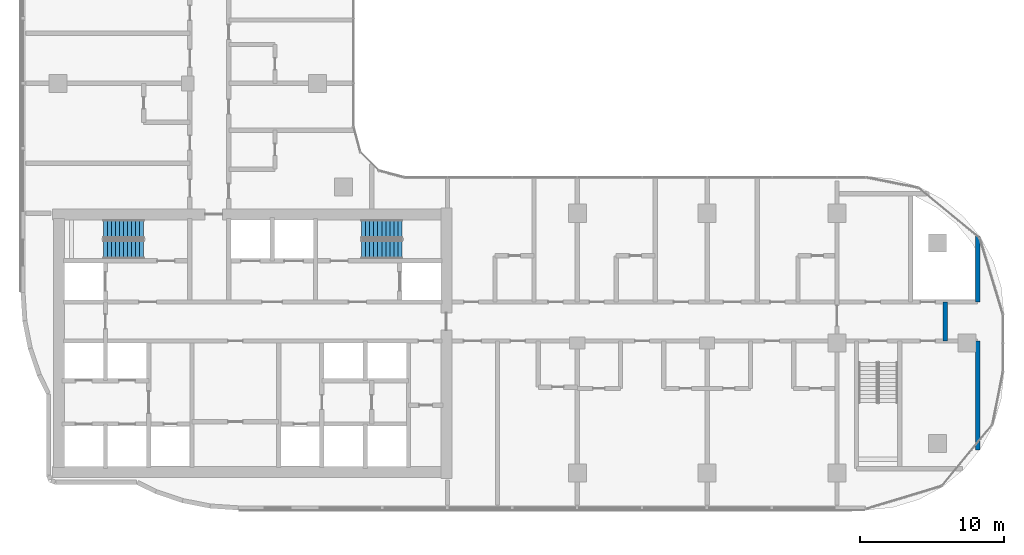
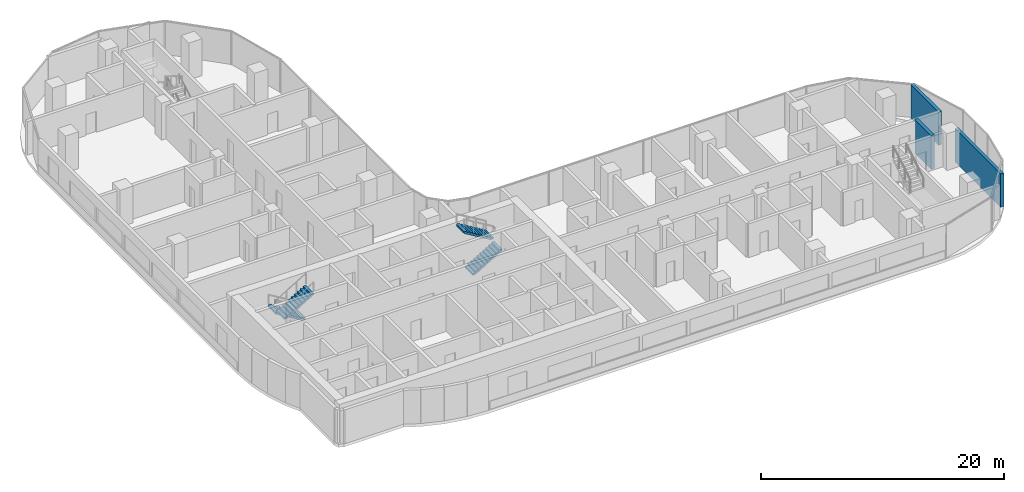
# One storey, part 15 of 23: 4 stair flights, 3 walls, 2 elements without a shape of their own.
"""IFC4 building model written with IfcOpenShell, lengths in metres."""

from ifc_helpers import new_model, si_unit, direction, frame, frame_2d, origin, place, context, subcontext, project, spatial, rectangle, extrude, triangles, source, transform, mapped, material, layer, layer_set, type_object, element, aggregate, save


model = new_model("IFC4")

# Units and contexts
model_context = context("Model", 3, precision=1e-05, world=origin(), true_north=direction((0.0, 1.0)))
body_context = subcontext(model_context, "Body", "Model", "MODEL_VIEW")
ifc_project = project(units=[si_unit("LENGTHUNIT", "METRE"), si_unit("AREAUNIT", "SQUARE_METRE"), si_unit("VOLUMEUNIT", "CUBIC_METRE"), si_unit("PLANEANGLEUNIT", "RADIAN"), si_unit("MASSUNIT", "GRAM", prefix="KILO")], contexts=[model_context])

# Site, building, storey
site_placement = place(None, origin())
site = spatial("IfcSite", under=ifc_project, at=site_placement, CompositionType="ELEMENT")
building_placement = place(site_placement, origin())
building = spatial("IfcBuilding", under=site, at=building_placement, Name="Ogive Portal Towers", CompositionType="ELEMENT")
storey_placement = place(building_placement, frame((0.0, 0.0, 120.39990234375)))
storey = spatial("IfcBuildingStorey", under=building, at=storey_placement, Name="L29", CompositionType="ELEMENT", Elevation=120.39990234375)

# Walls
ifc_material_1 = material(Name="Gypsum board partition on steel studs", Category="steel")
ifc_layer_1 = layer(ifc_material_1, 0.300048828125)
ifc_layer_set_1 = layer_set([ifc_layer_1], Name="WT-PART-300-EI 120")
wall_type_1 = type_object("IfcWallType", Name="WT-PART-300-EI 120", PredefinedType="PARTITIONING", material=ifc_layer_set_1)
wall_1_placement = place(storey_placement, frame((93.0, 30.64990234375, 0.0), z_axis=(0.0, 0.0, 1.0), x_axis=(0.0, 1.0, 0.0)))
element("IfcWall", 1, at=wall_1_placement, inside=storey, type_object=wall_type_1, Name="Wall L29:w067", PredefinedType="PARTITIONING", context=body_context, shape_type="SweptSolid", body=[
    extrude(rectangle(XDim=2.7001953125, YDim=0.300048828125, at=frame_2d((1.35009765625, 0.0))), origin(), (0.0, 0.0, 1.0), 3.400146484375),
])
ifc_layer_2 = layer(ifc_material_1, 0.300048828125)
ifc_layer_set_2 = layer_set([ifc_layer_2], Name="WT-PART-300-EI 60")
wall_type_2 = type_object("IfcWallType", Name="WT-PART-300-EI 60", PredefinedType="PARTITIONING", material=ifc_layer_set_2)
wall_2_placement = place(storey_placement, frame((95.25, 23.091064453125, 0.0), z_axis=(0.0, 0.0, 1.0), x_axis=(0.0, 1.0, 0.0)))
element("IfcWall", 2, at=wall_2_placement, inside=storey, type_object=wall_type_2, Name="Wall L29:w068", PredefinedType="PARTITIONING", context=body_context, shape_type="SweptSolid", body=[
    extrude(rectangle(XDim=7.558837890625, YDim=0.300048828125, at=frame_2d((3.779296875, 0.0))), origin(), (0.0, 0.0, 1.0), 3.35009765625),
])
wall_3_placement = place(storey_placement, frame((95.25, 33.35009765625, 0.0), z_axis=(0.0, 0.0, 1.0), x_axis=(0.0, 1.0, 0.0)))
element("IfcWall", 3, at=wall_3_placement, inside=storey, type_object=wall_type_2, Name="Wall L29:w069", PredefinedType="PARTITIONING", context=body_context, shape_type="SweptSolid", body=[
    extrude(rectangle(XDim=4.558837890625, YDim=0.300048828125, at=frame_2d((2.279296875, 0.0))), origin(), (0.0, 0.0, 1.0), 3.35009765625),
])

# Stair, stair flights
ifc_material_2 = material(Name="Concrete C40/50", Category="concrete")
stair_type = type_object("IfcStairType", Name="INT-STAIR", PredefinedType="HALF_TURN_STAIR", material=ifc_material_2)
stair_1_placement = place(storey_placement, origin())
stair_1 = element("IfcStair", 4, at=stair_1_placement, inside=storey, type_object=stair_type, Name="L29 Exit Stair ST-A1", PredefinedType="HALF_TURN_STAIR")
stair_flight_type = type_object("IfcStairFlightType", Name="INT-FLIGHT", PredefinedType="STRAIGHT", material=ifc_material_2)
shared_shape = source(origin(), body_context, "Body", "Tessellation", [
    triangles([(0.0, -0.650146484375, 0.0), (0.0, -0.376220703125, 0.0), (0.0, -0.192626953125, 0.0), (0.0, -0.081298828125, 0.0), (0.0, -0.024169921875, 0.0), (0.0, -0.003173828125, 0.0), (0.0, 0.0, 0.0), (0.0, 0.0029296875, 0.0), (0.0, 0.02392578125, 0.0), (0.0, 0.0810546875, 0.0), (0.0, 0.1923828125, 0.0), (0.0, 0.3759765625, 0.0), (0.0, 0.64990234375, 0.0), (0.0, -0.650146484375, 0.168212890625), (0.0, -0.376220703125, 0.168212890625), (0.0, -0.192626953125, 0.168212890625), (0.0, -0.081298828125, 0.168212890625), (0.0, -0.024169921875, 0.168212890625), (0.0, -0.003173828125, 0.168212890625), (0.0, 0.0, 0.168212890625), (0.0, 0.0029296875, 0.168212890625), (0.0, 0.02392578125, 0.168212890625), (0.0, 0.0810546875, 0.168212890625), (0.0, 0.1923828125, 0.168212890625), (0.0, 0.3759765625, 0.168212890625), (0.0, 0.64990234375, 0.168212890625), (0.280029296875, -0.650146484375, 0.168212890625), (0.280029296875, -0.376220703125, 0.168212890625), (0.280029296875, -0.192626953125, 0.168212890625), (0.280029296875, -0.081298828125, 0.168212890625), (0.280029296875, -0.024169921875, 0.168212890625), (0.280029296875, -0.003173828125, 0.168212890625), (0.280029296875, 0.0, 0.168212890625), (0.280029296875, 0.0029296875, 0.168212890625), (0.280029296875, 0.02392578125, 0.168212890625), (0.280029296875, 0.0810546875, 0.168212890625), (0.280029296875, 0.1923828125, 0.168212890625), (0.280029296875, 0.3759765625, 0.168212890625), (0.280029296875, 0.64990234375, 0.168212890625), (0.280029296875, -0.650146484375, 0.33642578125), (0.280029296875, -0.376220703125, 0.33642578125), (0.280029296875, -0.192626953125, 0.33642578125), (0.280029296875, -0.081298828125, 0.33642578125), (0.280029296875, -0.024169921875, 0.33642578125), (0.280029296875, -0.003173828125, 0.33642578125), (0.280029296875, 0.0, 0.33642578125), (0.280029296875, 0.0029296875, 0.33642578125), (0.280029296875, 0.02392578125, 0.33642578125), (0.280029296875, 0.0810546875, 0.33642578125), (0.280029296875, 0.1923828125, 0.33642578125), (0.280029296875, 0.3759765625, 0.33642578125), (0.280029296875, 0.64990234375, 0.33642578125), (0.56005859375, -0.650146484375, 0.33642578125), (0.56005859375, -0.376220703125, 0.33642578125), (0.56005859375, -0.192626953125, 0.33642578125), (0.56005859375, -0.081298828125, 0.33642578125), (0.56005859375, -0.024169921875, 0.33642578125), (0.56005859375, -0.003173828125, 0.33642578125), (0.56005859375, 0.0, 0.33642578125), (0.56005859375, 0.0029296875, 0.33642578125), (0.56005859375, 0.02392578125, 0.33642578125), (0.56005859375, 0.0810546875, 0.33642578125), (0.56005859375, 0.1923828125, 0.33642578125), (0.56005859375, 0.3759765625, 0.33642578125), (0.56005859375, 0.64990234375, 0.33642578125), (0.56005859375, -0.650146484375, 0.504638671875), (0.56005859375, -0.376220703125, 0.504638671875), (0.56005859375, -0.192626953125, 0.504638671875), (0.56005859375, -0.081298828125, 0.504638671875), (0.56005859375, -0.024169921875, 0.504638671875), (0.56005859375, -0.003173828125, 0.504638671875), (0.56005859375, 0.0, 0.504638671875), (0.56005859375, 0.0029296875, 0.504638671875), (0.56005859375, 0.02392578125, 0.504638671875), (0.56005859375, 0.0810546875, 0.504638671875), (0.56005859375, 0.1923828125, 0.504638671875), (0.56005859375, 0.3759765625, 0.504638671875), (0.56005859375, 0.64990234375, 0.504638671875), (0.840087890625, -0.650146484375, 0.504638671875), (0.840087890625, -0.376220703125, 0.504638671875), (0.840087890625, -0.192626953125, 0.504638671875), (0.840087890625, -0.081298828125, 0.504638671875), (0.840087890625, -0.024169921875, 0.504638671875), (0.840087890625, -0.003173828125, 0.504638671875), (0.840087890625, 0.0, 0.504638671875), (0.840087890625, 0.0029296875, 0.504638671875), (0.840087890625, 0.02392578125, 0.504638671875), (0.840087890625, 0.0810546875, 0.504638671875), (0.840087890625, 0.1923828125, 0.504638671875), (0.840087890625, 0.3759765625, 0.504638671875), (0.840087890625, 0.64990234375, 0.504638671875), (0.840087890625, -0.650146484375, 0.672607421875), (0.840087890625, -0.376220703125, 0.672607421875), (0.840087890625, -0.192626953125, 0.672607421875), (0.840087890625, -0.081298828125, 0.672607421875), (0.840087890625, -0.024169921875, 0.672607421875), (0.840087890625, -0.003173828125, 0.672607421875), (0.840087890625, 0.0, 0.672607421875), (0.840087890625, 0.0029296875, 0.672607421875), (0.840087890625, 0.02392578125, 0.672607421875), (0.840087890625, 0.0810546875, 0.672607421875), (0.840087890625, 0.1923828125, 0.672607421875), (0.840087890625, 0.3759765625, 0.672607421875), (0.840087890625, 0.64990234375, 0.672607421875), (1.1201171875, -0.650146484375, 0.672607421875), (1.1201171875, -0.376220703125, 0.672607421875), (1.1201171875, -0.192626953125, 0.672607421875), (1.1201171875, -0.081298828125, 0.672607421875), (1.1201171875, -0.024169921875, 0.672607421875), (1.1201171875, -0.003173828125, 0.672607421875), (1.1201171875, 0.0, 0.672607421875), (1.1201171875, 0.0029296875, 0.672607421875), (1.1201171875, 0.02392578125, 0.672607421875), (1.1201171875, 0.0810546875, 0.672607421875), (1.1201171875, 0.1923828125, 0.672607421875), (1.1201171875, 0.3759765625, 0.672607421875), (1.1201171875, 0.64990234375, 0.672607421875), (1.1201171875, -0.650146484375, 0.8408203125), (1.1201171875, -0.376220703125, 0.8408203125), (1.1201171875, -0.192626953125, 0.8408203125), (1.1201171875, -0.081298828125, 0.8408203125), (1.1201171875, -0.024169921875, 0.8408203125), (1.1201171875, -0.003173828125, 0.8408203125), (1.1201171875, 0.0, 0.8408203125), (1.1201171875, 0.0029296875, 0.8408203125), (1.1201171875, 0.02392578125, 0.8408203125), (1.1201171875, 0.0810546875, 0.8408203125), (1.1201171875, 0.1923828125, 0.8408203125), (1.1201171875, 0.3759765625, 0.8408203125), (1.1201171875, 0.64990234375, 0.8408203125), (1.39990234375, -0.650146484375, 0.8408203125), (1.39990234375, -0.376220703125, 0.8408203125), (1.39990234375, -0.192626953125, 0.8408203125), (1.39990234375, -0.081298828125, 0.8408203125), (1.39990234375, -0.024169921875, 0.8408203125), (1.39990234375, -0.003173828125, 0.8408203125), (1.39990234375, 0.0, 0.8408203125), (1.39990234375, 0.0029296875, 0.8408203125), (1.39990234375, 0.02392578125, 0.8408203125), (1.39990234375, 0.0810546875, 0.8408203125), (1.39990234375, 0.1923828125, 0.8408203125), (1.39990234375, 0.3759765625, 0.8408203125), (1.39990234375, 0.64990234375, 0.8408203125), (1.39990234375, -0.650146484375, 1.009033203125), (1.39990234375, -0.376220703125, 1.009033203125), (1.39990234375, -0.192626953125, 1.009033203125), (1.39990234375, -0.081298828125, 1.009033203125), (1.39990234375, -0.024169921875, 1.009033203125), (1.39990234375, -0.003173828125, 1.009033203125), (1.39990234375, 0.0, 1.009033203125), (1.39990234375, 0.0029296875, 1.009033203125), (1.39990234375, 0.02392578125, 1.009033203125), (1.39990234375, 0.0810546875, 1.009033203125), (1.39990234375, 0.1923828125, 1.009033203125), (1.39990234375, 0.3759765625, 1.009033203125), (1.39990234375, 0.64990234375, 1.009033203125), (1.679931640625, -0.650146484375, 1.009033203125), (1.679931640625, -0.376220703125, 1.009033203125), (1.679931640625, -0.192626953125, 1.009033203125), (1.679931640625, -0.081298828125, 1.009033203125), (1.679931640625, -0.024169921875, 1.009033203125), (1.679931640625, -0.003173828125, 1.009033203125), (1.679931640625, 0.0, 1.009033203125), (1.679931640625, 0.0029296875, 1.009033203125), (1.679931640625, 0.02392578125, 1.009033203125), (1.679931640625, 0.0810546875, 1.009033203125), (1.679931640625, 0.1923828125, 1.009033203125), (1.679931640625, 0.3759765625, 1.009033203125), (1.679931640625, 0.64990234375, 1.009033203125), (1.679931640625, -0.650146484375, 1.17724609375), (1.679931640625, -0.376220703125, 1.17724609375), (1.679931640625, -0.192626953125, 1.17724609375), (1.679931640625, -0.081298828125, 1.17724609375), (1.679931640625, -0.024169921875, 1.17724609375), (1.679931640625, -0.003173828125, 1.17724609375), (1.679931640625, 0.0, 1.17724609375), (1.679931640625, 0.0029296875, 1.17724609375), (1.679931640625, 0.02392578125, 1.17724609375), (1.679931640625, 0.0810546875, 1.17724609375), (1.679931640625, 0.1923828125, 1.17724609375), (1.679931640625, 0.3759765625, 1.17724609375), (1.679931640625, 0.64990234375, 1.17724609375), (1.9599609375, -0.650146484375, 1.17724609375), (1.9599609375, -0.376220703125, 1.17724609375), (1.9599609375, -0.192626953125, 1.17724609375), (1.9599609375, -0.081298828125, 1.17724609375), (1.9599609375, -0.024169921875, 1.17724609375), (1.9599609375, -0.003173828125, 1.17724609375), (1.9599609375, 0.0, 1.17724609375), (1.9599609375, 0.0029296875, 1.17724609375), (1.9599609375, 0.02392578125, 1.17724609375), (1.9599609375, 0.0810546875, 1.17724609375), (1.9599609375, 0.1923828125, 1.17724609375), (1.9599609375, 0.3759765625, 1.17724609375), (1.9599609375, 0.64990234375, 1.17724609375), (1.9599609375, -0.650146484375, 1.345458984375), (1.9599609375, -0.376220703125, 1.345458984375), (1.9599609375, -0.192626953125, 1.345458984375), (1.9599609375, -0.081298828125, 1.345458984375), (1.9599609375, -0.024169921875, 1.345458984375), (1.9599609375, -0.003173828125, 1.345458984375), (1.9599609375, 0.0, 1.345458984375), (1.9599609375, 0.0029296875, 1.345458984375), (1.9599609375, 0.02392578125, 1.345458984375), (1.9599609375, 0.0810546875, 1.345458984375), (1.9599609375, 0.1923828125, 1.345458984375), (1.9599609375, 0.3759765625, 1.345458984375), (1.9599609375, 0.64990234375, 1.345458984375), (2.239990234375, -0.650146484375, 1.345458984375), (2.239990234375, -0.376220703125, 1.345458984375), (2.239990234375, -0.192626953125, 1.345458984375), (2.239990234375, -0.081298828125, 1.345458984375), (2.239990234375, -0.024169921875, 1.345458984375), (2.239990234375, -0.003173828125, 1.345458984375), (2.239990234375, 0.0, 1.345458984375), (2.239990234375, 0.0029296875, 1.345458984375), (2.239990234375, 0.02392578125, 1.345458984375), (2.239990234375, 0.0810546875, 1.345458984375), (2.239990234375, 0.1923828125, 1.345458984375), (2.239990234375, 0.3759765625, 1.345458984375), (2.239990234375, 0.64990234375, 1.345458984375), (2.239990234375, -0.650146484375, 1.513671875), (2.239990234375, -0.376220703125, 1.513671875), (2.239990234375, -0.192626953125, 1.513671875), (2.239990234375, -0.081298828125, 1.513671875), (2.239990234375, -0.024169921875, 1.513671875), (2.239990234375, -0.003173828125, 1.513671875), (2.239990234375, 0.0, 1.513671875), (2.239990234375, 0.0029296875, 1.513671875), (2.239990234375, 0.02392578125, 1.513671875), (2.239990234375, 0.0810546875, 1.513671875), (2.239990234375, 0.1923828125, 1.513671875), (2.239990234375, 0.3759765625, 1.513671875), (2.239990234375, 0.64990234375, 1.513671875), (2.52001953125, -0.650146484375, 1.513671875), (2.52001953125, -0.376220703125, 1.513671875), (2.52001953125, -0.192626953125, 1.513671875), (2.52001953125, -0.081298828125, 1.513671875), (2.52001953125, -0.024169921875, 1.513671875), (2.52001953125, -0.003173828125, 1.513671875), (2.52001953125, 0.0, 1.513671875), (2.52001953125, 0.0029296875, 1.513671875), (2.52001953125, 0.02392578125, 1.513671875), (2.52001953125, 0.0810546875, 1.513671875), (2.52001953125, 0.1923828125, 1.513671875), (2.52001953125, 0.3759765625, 1.513671875), (2.52001953125, 0.64990234375, 1.513671875), (2.52001953125, -0.650146484375, 1.681884765625), (2.52001953125, -0.376220703125, 1.681884765625), (2.52001953125, -0.192626953125, 1.681884765625), (2.52001953125, -0.081298828125, 1.681884765625), (2.52001953125, -0.024169921875, 1.681884765625), (2.52001953125, -0.003173828125, 1.681884765625), (2.52001953125, 0.0, 1.681884765625), (2.52001953125, 0.0029296875, 1.681884765625), (2.52001953125, 0.02392578125, 1.681884765625), (2.52001953125, 0.0810546875, 1.681884765625), (2.52001953125, 0.1923828125, 1.681884765625), (2.52001953125, 0.3759765625, 1.681884765625), (2.52001953125, 0.64990234375, 1.681884765625), (2.800048828125, -0.650146484375, 1.681884765625), (2.800048828125, -0.376220703125, 1.681884765625), (2.800048828125, -0.192626953125, 1.681884765625), (2.800048828125, -0.081298828125, 1.681884765625), (2.800048828125, -0.024169921875, 1.681884765625), (2.800048828125, -0.003173828125, 1.681884765625), (2.800048828125, 0.0, 1.681884765625), (2.800048828125, 0.0029296875, 1.681884765625), (2.800048828125, 0.02392578125, 1.681884765625), (2.800048828125, 0.0810546875, 1.681884765625), (2.800048828125, 0.1923828125, 1.681884765625), (2.800048828125, 0.3759765625, 1.681884765625), (2.800048828125, 0.64990234375, 1.681884765625), (2.800048828125, -0.650146484375, 1.5068359375), (2.800048828125, -0.376220703125, 1.5068359375), (2.800048828125, -0.192626953125, 1.5068359375), (2.800048828125, -0.081298828125, 1.5068359375), (2.800048828125, -0.024169921875, 1.5068359375), (2.800048828125, -0.003173828125, 1.5068359375), (2.800048828125, 0.0, 1.5068359375), (2.800048828125, 0.0029296875, 1.5068359375), (2.800048828125, 0.02392578125, 1.5068359375), (2.800048828125, 0.0810546875, 1.5068359375), (2.800048828125, 0.1923828125, 1.5068359375), (2.800048828125, 0.3759765625, 1.5068359375), (2.800048828125, 0.64990234375, 1.5068359375), (0.291015625, -0.650146484375, 0.0), (0.291015625, -0.376220703125, 0.0), (0.291015625, -0.192626953125, 0.0), (0.291015625, -0.081298828125, 0.0), (0.291015625, -0.024169921875, 0.0), (0.291015625, -0.003173828125, 0.0), (0.291015625, 0.0, 0.0), (0.291015625, 0.0029296875, 0.0), (0.291015625, 0.02392578125, 0.0), (0.291015625, 0.0810546875, 0.0), (0.291015625, 0.1923828125, 0.0), (0.291015625, 0.3759765625, 0.0), (0.291015625, 0.64990234375, 0.0)], [[1, 14, 15], [1, 15, 2], [2, 15, 16], [2, 16, 3], [3, 16, 17], [3, 17, 4], [4, 17, 18], [4, 18, 5], [5, 18, 19], [5, 19, 6], [6, 19, 20], [6, 20, 7], [7, 20, 21], [7, 21, 8], [8, 21, 22], [8, 22, 9], [9, 22, 23], [9, 23, 10], [10, 23, 24], [10, 24, 11], [11, 24, 25], [11, 25, 12], [12, 25, 26], [12, 26, 13], [14, 27, 28], [14, 28, 15], [15, 28, 29], [15, 29, 16], [16, 29, 30], [16, 30, 17], [17, 30, 31], [17, 31, 18], [18, 31, 32], [18, 32, 19], [19, 32, 33], [19, 33, 20], [20, 33, 34], [20, 34, 21], [21, 34, 35], [21, 35, 22], [22, 35, 36], [22, 36, 23], [23, 36, 37], [23, 37, 24], [24, 37, 38], [24, 38, 25], [25, 38, 39], [25, 39, 26], [27, 40, 41], [27, 41, 28], [28, 41, 42], [28, 42, 29], [29, 42, 43], [29, 43, 30], [30, 43, 44], [30, 44, 31], [31, 44, 45], [31, 45, 32], [32, 45, 46], [32, 46, 33], [33, 46, 47], [33, 47, 34], [34, 47, 48], [34, 48, 35], [35, 48, 49], [35, 49, 36], [36, 49, 50], [36, 50, 37], [37, 50, 51], [37, 51, 38], [38, 51, 52], [38, 52, 39], [40, 53, 54], [40, 54, 41], [41, 54, 55], [41, 55, 42], [42, 55, 56], [42, 56, 43], [43, 56, 57], [43, 57, 44], [44, 57, 58], [44, 58, 45], [45, 58, 59], [45, 59, 46], [46, 59, 60], [46, 60, 47], [47, 60, 61], [47, 61, 48], [48, 61, 62], [48, 62, 49], [49, 62, 63], [49, 63, 50], [50, 63, 64], [50, 64, 51], [51, 64, 65], [51, 65, 52], [53, 66, 67], [53, 67, 54], [54, 67, 68], [54, 68, 55], [55, 68, 69], [55, 69, 56], [56, 69, 70], [56, 70, 57], [57, 70, 71], [57, 71, 58], [58, 71, 72], [58, 72, 59], [59, 72, 73], [59, 73, 60], [60, 73, 74], [60, 74, 61], [61, 74, 75], [61, 75, 62], [62, 75, 76], [62, 76, 63], [63, 76, 77], [63, 77, 64], [64, 77, 78], [64, 78, 65], [66, 79, 80], [66, 80, 67], [67, 80, 81], [67, 81, 68], [68, 81, 82], [68, 82, 69], [69, 82, 83], [69, 83, 70], [70, 83, 84], [70, 84, 71], [71, 84, 85], [71, 85, 72], [72, 85, 86], [72, 86, 73], [73, 86, 87], [73, 87, 74], [74, 87, 88], [74, 88, 75], [75, 88, 89], [75, 89, 76], [76, 89, 90], [76, 90, 77], [77, 90, 91], [77, 91, 78], [79, 92, 93], [79, 93, 80], [80, 93, 94], [80, 94, 81], [81, 94, 95], [81, 95, 82], [82, 95, 96], [82, 96, 83], [83, 96, 97], [83, 97, 84], [84, 97, 98], [84, 98, 85], [85, 98, 99], [85, 99, 86], [86, 99, 100], [86, 100, 87], [87, 100, 101], [87, 101, 88], [88, 101, 102], [88, 102, 89], [89, 102, 103], [89, 103, 90], [90, 103, 104], [90, 104, 91], [92, 105, 106], [92, 106, 93], [93, 106, 107], [93, 107, 94], [94, 107, 108], [94, 108, 95], [95, 108, 109], [95, 109, 96], [96, 109, 110], [96, 110, 97], [97, 110, 111], [97, 111, 98], [98, 111, 112], [98, 112, 99], [99, 112, 113], [99, 113, 100], [100, 113, 114], [100, 114, 101], [101, 114, 115], [101, 115, 102], [102, 115, 116], [102, 116, 103], [103, 116, 117], [103, 117, 104], [105, 118, 119], [105, 119, 106], [106, 119, 120], [106, 120, 107], [107, 120, 121], [107, 121, 108], [108, 121, 122], [108, 122, 109], [109, 122, 123], [109, 123, 110], [110, 123, 124], [110, 124, 111], [111, 124, 125], [111, 125, 112], [112, 125, 126], [112, 126, 113], [113, 126, 127], [113, 127, 114], [114, 127, 128], [114, 128, 115], [115, 128, 129], [115, 129, 116], [116, 129, 130], [116, 130, 117], [118, 131, 132], [118, 132, 119], [119, 132, 133], [119, 133, 120], [120, 133, 134], [120, 134, 121], [121, 134, 135], [121, 135, 122], [122, 135, 136], [122, 136, 123], [123, 136, 137], [123, 137, 124], [124, 137, 138], [124, 138, 125], [125, 138, 139], [125, 139, 126], [126, 139, 140], [126, 140, 127], [127, 140, 141], [127, 141, 128], [128, 141, 142], [128, 142, 129], [129, 142, 143], [129, 143, 130], [131, 144, 145], [131, 145, 132], [132, 145, 146], [132, 146, 133], [133, 146, 147], [133, 147, 134], [134, 147, 148], [134, 148, 135], [135, 148, 149], [135, 149, 136], [136, 149, 150], [136, 150, 137], [137, 150, 151], [137, 151, 138], [138, 151, 152], [138, 152, 139], [139, 152, 153], [139, 153, 140], [140, 153, 154], [140, 154, 141], [141, 154, 155], [141, 155, 142], [142, 155, 156], [142, 156, 143], [144, 157, 158], [144, 158, 145], [145, 158, 159], [145, 159, 146], [146, 159, 160], [146, 160, 147], [147, 160, 161], [147, 161, 148], [148, 161, 162], [148, 162, 149], [149, 162, 163], [149, 163, 150], [150, 163, 164], [150, 164, 151], [151, 164, 165], [151, 165, 152], [152, 165, 166], [152, 166, 153], [153, 166, 167], [153, 167, 154], [154, 167, 168], [154, 168, 155], [155, 168, 169], [155, 169, 156], [157, 170, 171], [157, 171, 158], [158, 171, 172], [158, 172, 159], [159, 172, 173], [159, 173, 160], [160, 173, 174], [160, 174, 161], [161, 174, 175], [161, 175, 162], [162, 175, 176], [162, 176, 163], [163, 176, 177], [163, 177, 164], [164, 177, 178], [164, 178, 165], [165, 178, 179], [165, 179, 166], [166, 179, 180], [166, 180, 167], [167, 180, 181], [167, 181, 168], [168, 181, 182], [168, 182, 169], [170, 183, 184], [170, 184, 171], [171, 184, 185], [171, 185, 172], [172, 185, 186], [172, 186, 173], [173, 186, 187], [173, 187, 174], [174, 187, 188], [174, 188, 175], [175, 188, 189], [175, 189, 176], [176, 189, 190], [176, 190, 177], [177, 190, 191], [177, 191, 178], [178, 191, 192], [178, 192, 179], [179, 192, 193], [179, 193, 180], [180, 193, 194], [180, 194, 181], [181, 194, 195], [181, 195, 182], [183, 196, 197], [183, 197, 184], [184, 197, 198], [184, 198, 185], [185, 198, 199], [185, 199, 186], [186, 199, 200], [186, 200, 187], [187, 200, 201], [187, 201, 188], [188, 201, 202], [188, 202, 189], [189, 202, 203], [189, 203, 190], [190, 203, 204], [190, 204, 191], [191, 204, 205], [191, 205, 192], [192, 205, 206], [192, 206, 193], [193, 206, 207], [193, 207, 194], [194, 207, 208], [194, 208, 195], [196, 209, 210], [196, 210, 197], [197, 210, 211], [197, 211, 198], [198, 211, 212], [198, 212, 199], [199, 212, 213], [199, 213, 200], [200, 213, 214], [200, 214, 201], [201, 214, 215], [201, 215, 202], [202, 215, 216], [202, 216, 203], [203, 216, 217], [203, 217, 204], [204, 217, 218], [204, 218, 205], [205, 218, 219], [205, 219, 206], [206, 219, 220], [206, 220, 207], [207, 220, 221], [207, 221, 208], [209, 222, 223], [209, 223, 210], [210, 223, 224], [210, 224, 211], [211, 224, 225], [211, 225, 212], [212, 225, 226], [212, 226, 213], [213, 226, 227], [213, 227, 214], [214, 227, 228], [214, 228, 215], [215, 228, 229], [215, 229, 216], [216, 229, 230], [216, 230, 217], [217, 230, 231], [217, 231, 218], [218, 231, 232], [218, 232, 219], [219, 232, 233], [219, 233, 220], [220, 233, 234], [220, 234, 221], [222, 235, 236], [222, 236, 223], [223, 236, 237], [223, 237, 224], [224, 237, 238], [224, 238, 225], [225, 238, 239], [225, 239, 226], [226, 239, 240], [226, 240, 227], [227, 240, 241], [227, 241, 228], [228, 241, 242], [228, 242, 229], [229, 242, 243], [229, 243, 230], [230, 243, 244], [230, 244, 231], [231, 244, 245], [231, 245, 232], [232, 245, 246], [232, 246, 233], [233, 246, 247], [233, 247, 234], [235, 248, 249], [235, 249, 236], [236, 249, 250], [236, 250, 237], [237, 250, 251], [237, 251, 238], [238, 251, 252], [238, 252, 239], [239, 252, 253], [239, 253, 240], [240, 253, 254], [240, 254, 241], [241, 254, 255], [241, 255, 242], [242, 255, 256], [242, 256, 243], [243, 256, 257], [243, 257, 244], [244, 257, 258], [244, 258, 245], [245, 258, 259], [245, 259, 246], [246, 259, 260], [246, 260, 247], [248, 261, 262], [248, 262, 249], [249, 262, 263], [249, 263, 250], [250, 263, 264], [250, 264, 251], [251, 264, 265], [251, 265, 252], [252, 265, 266], [252, 266, 253], [253, 266, 267], [253, 267, 254], [254, 267, 268], [254, 268, 255], [255, 268, 269], [255, 269, 256], [256, 269, 270], [256, 270, 257], [257, 270, 271], [257, 271, 258], [258, 271, 272], [258, 272, 259], [259, 272, 273], [259, 273, 260], [261, 274, 275], [261, 275, 262], [262, 275, 276], [262, 276, 263], [263, 276, 277], [263, 277, 264], [264, 277, 278], [264, 278, 265], [265, 278, 279], [265, 279, 266], [266, 279, 280], [266, 280, 267], [267, 280, 281], [267, 281, 268], [268, 281, 282], [268, 282, 269], [269, 282, 283], [269, 283, 270], [270, 283, 284], [270, 284, 271], [271, 284, 285], [271, 285, 272], [272, 285, 286], [272, 286, 273], [274, 287, 288], [274, 288, 275], [275, 288, 289], [275, 289, 276], [276, 289, 290], [276, 290, 277], [277, 290, 291], [277, 291, 278], [278, 291, 292], [278, 292, 279], [279, 292, 293], [279, 293, 280], [280, 293, 294], [280, 294, 281], [281, 294, 295], [281, 295, 282], [282, 295, 296], [282, 296, 283], [283, 296, 297], [283, 297, 284], [284, 297, 298], [284, 298, 285], [285, 298, 299], [285, 299, 286], [287, 1, 2], [287, 2, 288], [288, 2, 3], [288, 3, 289], [289, 3, 4], [289, 4, 290], [290, 4, 5], [290, 5, 291], [291, 5, 6], [291, 6, 292], [292, 6, 7], [292, 7, 293], [293, 7, 8], [293, 8, 294], [294, 8, 9], [294, 9, 295], [295, 9, 10], [295, 10, 296], [296, 10, 11], [296, 11, 297], [297, 11, 12], [297, 12, 298], [298, 12, 13], [298, 13, 299], [1, 287, 274], [13, 286, 299], [274, 261, 248], [286, 260, 273], [274, 248, 235], [286, 247, 260], [274, 235, 222], [286, 234, 247], [274, 222, 209], [286, 221, 234], [209, 196, 183], [221, 195, 208], [274, 209, 183], [286, 195, 221], [183, 170, 157], [195, 169, 182], [274, 183, 157], [286, 169, 195], [157, 144, 131], [169, 143, 156], [274, 157, 131], [286, 143, 169], [131, 118, 105], [143, 117, 130], [274, 131, 105], [286, 117, 143], [1, 274, 105], [13, 117, 286], [105, 92, 79], [117, 91, 104], [79, 66, 53], [91, 65, 78], [105, 79, 53], [117, 65, 91], [53, 40, 27], [65, 39, 52], [105, 53, 27], [117, 39, 65], [1, 105, 27], [13, 39, 117], [27, 14, 1], [39, 13, 26]], closed=True),
])
stair_flight_1_placement = place(storey_placement, frame((37.449951171875, 38.39990234375, 0.0), z_axis=(0.0, 0.0, 1.0), x_axis=(-1.0, 0.0, 0.0)))
stair_flight_1 = element("IfcStairFlight", 5, at=stair_flight_1_placement, type_object=stair_flight_type, Name="ST-A1 flight 1", NumberOfRisers=11, NumberOfTreads=10, PredefinedType="STRAIGHT", RiserHeight=0.168181818, TreadLength=0.28, context=body_context, shape_type="MappedRepresentation", body=[
    mapped(shared_shape, transform((0.0, 0.0, 0.0), scale=1.0)),
])
stair_flight_2_placement = place(storey_placement, frame((34.64990234375, 37.0, 1.85009765625), z_axis=(0.0, 0.0, 1.0), x_axis=(1.0, 0.0, 0.0)))
stair_flight_2 = element("IfcStairFlight", 6, at=stair_flight_2_placement, type_object=stair_flight_type, Name="ST-A1 flight 2", NumberOfRisers=11, NumberOfTreads=10, PredefinedType="STRAIGHT", RiserHeight=0.168181818, TreadLength=0.28, context=body_context, shape_type="MappedRepresentation", body=[
    mapped(shared_shape, transform((0.0, 0.0, 0.0), scale=1.0)),
])
aggregate(stair_1, [stair_flight_1, stair_flight_2])

stair_2_placement = place(storey_placement, origin())
stair_2 = element("IfcStair", 7, at=stair_2_placement, inside=storey, type_object=stair_type, Name="L29 Exit Stair ST-A2", PredefinedType="HALF_TURN_STAIR")
stair_flight_3_placement = place(storey_placement, frame((52.550048828125, 37.0, 0.0), z_axis=(0.0, 0.0, 1.0), x_axis=(1.0, 0.0, 0.0)))
stair_flight_3 = element("IfcStairFlight", 8, at=stair_flight_3_placement, type_object=stair_flight_type, Name="ST-A2 flight 1", NumberOfRisers=11, NumberOfTreads=10, PredefinedType="STRAIGHT", RiserHeight=0.168181818, TreadLength=0.28, context=body_context, shape_type="MappedRepresentation", body=[
    mapped(shared_shape, transform((0.0, 0.0, 0.0), scale=1.0)),
])
stair_flight_4_placement = place(storey_placement, frame((55.35009765625, 38.39990234375, 1.85009765625), z_axis=(0.0, 0.0, 1.0), x_axis=(-1.0, 0.0, 0.0)))
stair_flight_4 = element("IfcStairFlight", 9, at=stair_flight_4_placement, type_object=stair_flight_type, Name="ST-A2 flight 2", NumberOfRisers=11, NumberOfTreads=10, PredefinedType="STRAIGHT", RiserHeight=0.168181818, TreadLength=0.28, context=body_context, shape_type="MappedRepresentation", body=[
    mapped(shared_shape, transform((0.0, 0.0, 0.0), scale=1.0)),
])
aggregate(stair_2, [stair_flight_3, stair_flight_4])

save(model, "model.ifc")
